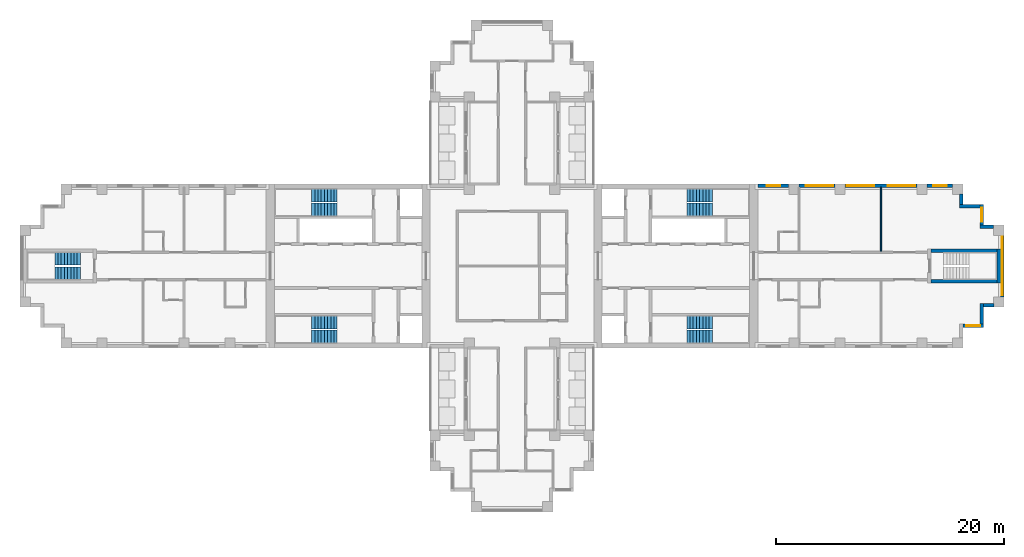
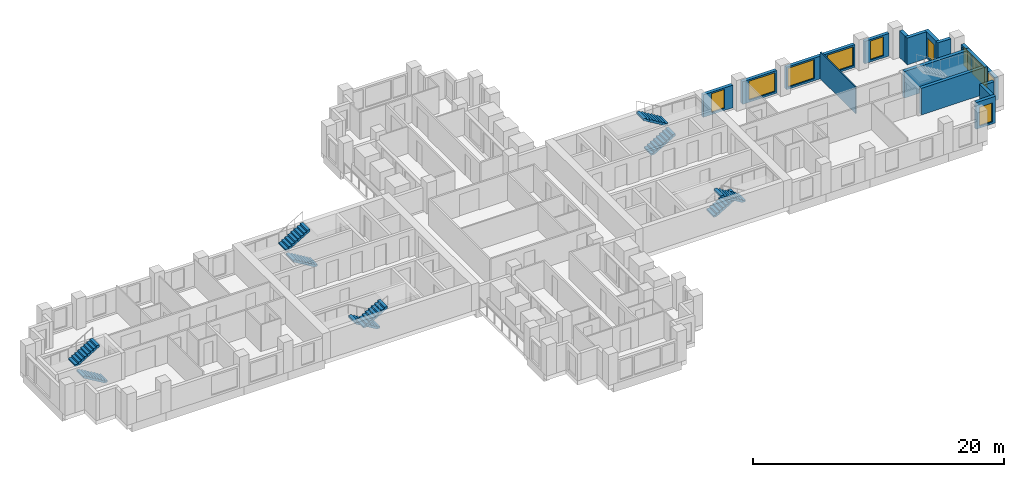
# One storey, part 9 of 12: 16 walls, 10 stair flights, 10 windows, 10 openings, 5 elements without a shape of their own.
"""IFC4 building model written with IfcOpenShell, lengths in metres."""

from ifc_helpers import new_model, si_unit, direction, frame, frame_2d, origin, place, context, subcontext, project, spatial, polyline, rectangle, outline, extrude, material, layer, layer_set, type_object, element, fill, aggregate, save


model = new_model("IFC4")

# Units and contexts
model_context = context("Model", 3, precision=1e-05, world=origin(), true_north=direction((0.0, 1.0)))
body_context = subcontext(model_context, "Body", "Model", "MODEL_VIEW")
ifc_project = project(units=[si_unit("LENGTHUNIT", "METRE"), si_unit("AREAUNIT", "SQUARE_METRE"), si_unit("VOLUMEUNIT", "CUBIC_METRE"), si_unit("PLANEANGLEUNIT", "RADIAN"), si_unit("MASSUNIT", "GRAM", prefix="KILO")], contexts=[model_context])

# Site, building, storey
site_placement = place(None, origin())
site = spatial("IfcSite", under=ifc_project, at=site_placement, CompositionType="ELEMENT")
building_placement = place(site_placement, origin())
building = spatial("IfcBuilding", under=site, at=building_placement, Name="Fustian Cross Tower", CompositionType="ELEMENT")
storey_placement = place(building_placement, frame((0.0, 0.0, 135.300048828125)))
storey = spatial("IfcBuildingStorey", under=building, at=storey_placement, Name="L42", CompositionType="ELEMENT", Elevation=135.300048828125)

# Walls
ifc_material_1 = material(Name="Plasterboard on steel stud", Category="steel")
ifc_layer_1 = layer(ifc_material_1, 0.10009765625)
ifc_layer_set_1 = layer_set([ifc_layer_1], Name="Plasterboard on steel stud")
wall_type_1 = type_object("IfcWallType", Name="PARTITION 100 STUD", PredefinedType="PARTITIONING", material=ifc_layer_set_1)
wall_1_placement = place(storey_placement, frame((32.39990234375, 1.27490234375, 0.0), z_axis=(0.0, 0.0, 1.0), x_axis=(0.0, 1.0, 0.0)))
element("IfcWall", 1, at=wall_1_placement, inside=storey, type_object=wall_type_1, Name="Partition 61", PredefinedType="PARTITIONING", context=body_context, shape_type="SweptSolid", body=[
    extrude(rectangle(XDim=5.625, YDim=0.10009765625, at=frame_2d((2.8125, 0.0))), origin(), (0.0, 0.0, 1.0), 2.599853515625),
])
ifc_material_2 = material(Name="Concrete C50/60", Category="concrete")
ifc_layer_2 = layer(ifc_material_2, 0.300048828125)
ifc_layer_set_2 = layer_set([ifc_layer_2], Name="Concrete C50/60")
wall_type_2 = type_object("IfcWallType", Name="STAIR ENCLOSURE WALL 300 C50/60", PredefinedType="SHEAR", material=ifc_layer_set_2)
wall_2_placement = place(storey_placement, frame((42.75, -1.5, 0.0), z_axis=(0.0, 0.0, 1.0), x_axis=(0.0, 1.0, 0.0)))
element("IfcWall", 2, at=wall_2_placement, inside=storey, type_object=wall_type_2, Name="Stair enclosure wall", PredefinedType="SHEAR", context=body_context, shape_type="SweptSolid", body=[
    extrude(rectangle(XDim=3.0, YDim=0.300048828125, at=frame_2d((1.5, 0.0))), origin(), (0.0, 0.0, 1.0), 2.599853515625),
])
for number, where, z_axis, x_axis, name in (
    (3, (36.800048828125, -1.35009765625, 0.0), (0.0, 0.0, 1.0), (1.0, 0.0, 0.0), "Stair enclosure wall"),
    (4, (36.800048828125, 1.35009765625, 0.0), (0.0, 0.0, 1.0), (1.0, 0.0, 0.0), "Stair enclosure wall"),
):
    element("IfcWall", number, at=place(storey_placement, frame(where, z_axis=z_axis, x_axis=x_axis)), inside=storey, type_object=wall_type_2, Name=name, PredefinedType="SHEAR", context=body_context, shape_type="SweptSolid", body=[
        extrude(rectangle(XDim=5.800048828125, YDim=0.300048828125, at=frame_2d((2.89990234375, 0.0))), origin(), (0.0, 0.0, 1.0), 2.599853515625),
    ])

# Wall, opening, window
ifc_material_3 = material(Name="Dark aluminium cladding on insulated backing wall", Category="aluminium")
ifc_layer_3 = layer(ifc_material_3, 0.300048828125)
ifc_layer_set_3 = layer_set([ifc_layer_3], Name="Dark aluminium cladding on insulated backing wall")
wall_type_3 = type_object("IfcWallType", Name="XW1 EXTERNAL WALL 300", PredefinedType="SOLIDWALL", material=ifc_layer_set_3)
wall_3_placement = place(storey_placement, frame((39.60009765625, -5.25, 0.0), z_axis=(0.0, 0.0, 1.0), x_axis=(1.0, 0.0, 0.0)))
wall_3 = element("IfcWall", 5, at=wall_3_placement, inside=storey, type_object=wall_type_3, Name="External wall", PredefinedType="SOLIDWALL", context=body_context, shape_type="SweptSolid", body=[
    extrude(rectangle(XDim=1.7998046875, YDim=0.300048828125, at=frame_2d((0.89990234375, 0.0))), origin(), (0.0, 0.0, 1.0), 2.599853515625),
])
opening_1_placement = place(wall_3_placement, frame((0.300048828125, 0.0, 0.199951171875)))
opening_1 = element("IfcOpeningElement", 6, at=opening_1_placement, cuts=wall_3, Name="Opening WN3", PredefinedType="OPENING", context=body_context, shape_type="SweptSolid", body=[
    extrude(rectangle(XDim=1.199951171875, YDim=1.85009765625, at=frame_2d((0.60009765625, 0.925048828125))), frame((0.0, 0.159912109375, 0.0), z_axis=(0.0, -1.0, 0.0), x_axis=(1.0, 0.0, 0.0)), (0.0, 0.0, 1.0), 0.320068359375),
])
ifc_material_4 = material(Name="Dark anodised aluminium and double glazing", Category="aluminium")
window_type_1 = type_object("IfcWindowType", Name="WN3 WINDOW 1200X1850", PartitioningType="SINGLE_PANEL", PredefinedType="WINDOW", material=ifc_material_4)
window_1_placement = place(opening_1_placement, origin())
window_1 = element("IfcWindow", 7, at=window_1_placement, inside=storey, type_object=window_type_1, Name="Window", OverallHeight=1.85009765625, OverallWidth=1.199951171875, PartitioningType="SINGLE_PANEL", PredefinedType="WINDOW", context=body_context, shape_type="SweptSolid", body=[
    extrude(rectangle(XDim=1.199951171875, YDim=1.85009765625, at=frame_2d((0.60009765625, 0.925048828125))), frame((0.0, 0.030029296875, 0.0), z_axis=(0.0, -1.0, 0.0), x_axis=(1.0, 0.0, 0.0)), (0.0, 0.0, 1.0), 0.06005859375),
])
fill(opening_1, window_1)

# Walls
wall_4_placement = place(storey_placement, frame((41.25, -5.10009765625, 0.0), z_axis=(0.0, 0.0, 1.0), x_axis=(0.0, 1.0, 0.0)))
element("IfcWall", 8, at=wall_4_placement, inside=storey, type_object=wall_type_3, Name="External wall", PredefinedType="SOLIDWALL", context=body_context, shape_type="SweptSolid", body=[
    extrude(rectangle(XDim=1.800048828125, YDim=0.300048828125, at=frame_2d((0.89990234375, 0.0))), origin(), (0.0, 0.0, 1.0), 2.599853515625),
])
wall_5_placement = place(storey_placement, frame((41.39990234375, -3.449951171875, 0.0), z_axis=(0.0, 0.0, 1.0), x_axis=(1.0, 0.0, 0.0)))
element("IfcWall", 9, at=wall_5_placement, inside=storey, type_object=wall_type_3, Name="External wall", PredefinedType="SOLIDWALL", context=body_context, shape_type="SweptSolid", body=[
    extrude(rectangle(XDim=0.900146484375, YDim=0.300048828125, at=frame_2d((0.4501953125, 0.0))), origin(), (0.0, 0.0, 1.0), 2.599853515625),
])

# Wall, openings, windows
wall_6_placement = place(storey_placement, frame((43.050048828125, -2.699951171875, 0.0), z_axis=(0.0, 0.0, 1.0), x_axis=(0.0, 1.0, 0.0)))
wall_6 = element("IfcWall", 10, at=wall_6_placement, inside=storey, type_object=wall_type_3, Name="External wall", PredefinedType="SOLIDWALL", context=body_context, shape_type="SweptSolid", body=[
    extrude(rectangle(XDim=5.39990234375, YDim=0.300048828125, at=frame_2d((2.699951171875, 0.0))), origin(), (0.0, 0.0, 1.0), 2.199951171875),
])
opening_2_placement = place(wall_6_placement, frame((1.5, 0.0, 0.199951171875)))
opening_2 = element("IfcOpeningElement", 11, at=opening_2_placement, cuts=wall_6, Name="Opening WN1", PredefinedType="OPENING", context=body_context, shape_type="SweptSolid", body=[
    extrude(rectangle(XDim=2.39990234375, YDim=1.85009765625, at=frame_2d((1.199951171875, 0.925048828125))), frame((0.0, 0.159912109375, 0.0), z_axis=(0.0, -1.0, 0.0), x_axis=(1.0, 0.0, 0.0)), (0.0, 0.0, 1.0), 0.320068359375),
])
opening_3_placement = place(wall_6_placement, frame((0.14990234375, 0.0, 0.199951171875)))
opening_3 = element("IfcOpeningElement", 12, at=opening_3_placement, cuts=wall_6, Name="Opening WN3", PredefinedType="OPENING", context=body_context, shape_type="SweptSolid", body=[
    extrude(rectangle(XDim=1.199951171875, YDim=1.85009765625, at=frame_2d((0.60009765625, 0.925048828125))), frame((0.0, 0.159912109375, 0.0), z_axis=(0.0, -1.0, 0.0), x_axis=(1.0, 0.0, 0.0)), (0.0, 0.0, 1.0), 0.320068359375),
])
opening_4_placement = place(wall_6_placement, frame((4.050048828125, 0.0, 0.199951171875)))
opening_4 = element("IfcOpeningElement", 13, at=opening_4_placement, cuts=wall_6, Name="Opening WN3", PredefinedType="OPENING", context=body_context, shape_type="SweptSolid", body=[
    extrude(rectangle(XDim=1.199951171875, YDim=1.85009765625, at=frame_2d((0.60009765625, 0.925048828125))), frame((0.0, 0.159912109375, 0.0), z_axis=(0.0, -1.0, 0.0), x_axis=(1.0, 0.0, 0.0)), (0.0, 0.0, 1.0), 0.320068359375),
])
ifc_material_5 = material(Name="Dark anodised aluminium and double glazing", Category="aluminium")
window_type_2 = type_object("IfcWindowType", Name="WN1 WINDOW 2400X1850", PartitioningType="SINGLE_PANEL", PredefinedType="WINDOW", material=ifc_material_5)
window_2_placement = place(opening_2_placement, origin())
window_2 = element("IfcWindow", 14, at=window_2_placement, inside=storey, type_object=window_type_2, Name="Window", OverallHeight=1.85009765625, OverallWidth=2.39990234375, PartitioningType="SINGLE_PANEL", PredefinedType="WINDOW", context=body_context, shape_type="SweptSolid", body=[
    extrude(rectangle(XDim=2.39990234375, YDim=1.85009765625, at=frame_2d((1.199951171875, 0.925048828125))), frame((0.0, 0.030029296875, 0.0), z_axis=(0.0, -1.0, 0.0), x_axis=(1.0, 0.0, 0.0)), (0.0, 0.0, 1.0), 0.06005859375),
])
fill(opening_2, window_2)
window_3_placement = place(opening_3_placement, origin())
window_3 = element("IfcWindow", 15, at=window_3_placement, inside=storey, type_object=window_type_1, Name="Window", OverallHeight=1.85009765625, OverallWidth=1.199951171875, PartitioningType="SINGLE_PANEL", PredefinedType="WINDOW", context=body_context, shape_type="SweptSolid", body=[
    extrude(rectangle(XDim=1.199951171875, YDim=1.85009765625, at=frame_2d((0.60009765625, 0.925048828125))), frame((0.0, 0.030029296875, 0.0), z_axis=(0.0, -1.0, 0.0), x_axis=(1.0, 0.0, 0.0)), (0.0, 0.0, 1.0), 0.06005859375),
])
fill(opening_3, window_3)
window_4_placement = place(opening_4_placement, origin())
window_4 = element("IfcWindow", 16, at=window_4_placement, inside=storey, type_object=window_type_1, Name="Window", OverallHeight=1.85009765625, OverallWidth=1.199951171875, PartitioningType="SINGLE_PANEL", PredefinedType="WINDOW", context=body_context, shape_type="SweptSolid", body=[
    extrude(rectangle(XDim=1.199951171875, YDim=1.85009765625, at=frame_2d((0.60009765625, 0.925048828125))), frame((0.0, 0.030029296875, 0.0), z_axis=(0.0, -1.0, 0.0), x_axis=(1.0, 0.0, 0.0)), (0.0, 0.0, 1.0), 0.06005859375),
])
fill(opening_4, window_4)

# Wall
wall_7_placement = place(storey_placement, frame((42.300048828125, 3.449951171875, 0.0), z_axis=(0.0, 0.0, 1.0), x_axis=(-1.0, 0.0, 0.0)))
element("IfcWall", 17, at=wall_7_placement, inside=storey, type_object=wall_type_3, Name="External wall", PredefinedType="SOLIDWALL", context=body_context, shape_type="SweptSolid", body=[
    extrude(rectangle(XDim=1.199951171875, YDim=0.300048828125, at=frame_2d((0.60009765625, 0.0))), origin(), (0.0, 0.0, 1.0), 2.599853515625),
])

# Wall, opening, window
wall_8_placement = place(storey_placement, frame((41.25, 3.60009765625, 0.0), z_axis=(0.0, 0.0, 1.0), x_axis=(0.0, 1.0, 0.0)))
wall_8 = element("IfcWall", 18, at=wall_8_placement, inside=storey, type_object=wall_type_3, Name="External wall", PredefinedType="SOLIDWALL", context=body_context, shape_type="SweptSolid", body=[
    extrude(rectangle(XDim=1.7998046875, YDim=0.300048828125, at=frame_2d((0.89990234375, 0.0))), origin(), (0.0, 0.0, 1.0), 2.599853515625),
])
opening_5_placement = place(wall_8_placement, frame((0.300048828125, 0.0, 0.199951171875)))
opening_5 = element("IfcOpeningElement", 19, at=opening_5_placement, cuts=wall_8, Name="Opening WN3", PredefinedType="OPENING", context=body_context, shape_type="SweptSolid", body=[
    extrude(rectangle(XDim=1.199951171875, YDim=1.85009765625, at=frame_2d((0.60009765625, 0.925048828125))), frame((0.0, 0.159912109375, 0.0), z_axis=(0.0, -1.0, 0.0), x_axis=(1.0, 0.0, 0.0)), (0.0, 0.0, 1.0), 0.320068359375),
])
window_5_placement = place(opening_5_placement, origin())
window_5 = element("IfcWindow", 20, at=window_5_placement, inside=storey, type_object=window_type_1, Name="Window", OverallHeight=1.85009765625, OverallWidth=1.199951171875, PartitioningType="SINGLE_PANEL", PredefinedType="WINDOW", context=body_context, shape_type="SweptSolid", body=[
    extrude(rectangle(XDim=1.199951171875, YDim=1.85009765625, at=frame_2d((0.60009765625, 0.925048828125))), frame((0.0, 0.030029296875, 0.0), z_axis=(0.0, -1.0, 0.0), x_axis=(1.0, 0.0, 0.0)), (0.0, 0.0, 1.0), 0.06005859375),
])
fill(opening_5, window_5)

# Walls
wall_9_placement = place(storey_placement, frame((41.10009765625, 5.25, 0.0), z_axis=(0.0, 0.0, 1.0), x_axis=(-1.0, 0.0, 0.0)))
element("IfcWall", 21, at=wall_9_placement, inside=storey, type_object=wall_type_3, Name="External wall", PredefinedType="SOLIDWALL", context=body_context, shape_type="SweptSolid", body=[
    extrude(rectangle(XDim=1.800048828125, YDim=0.300048828125, at=frame_2d((0.89990234375, 0.0))), origin(), (0.0, 0.0, 1.0), 2.599853515625),
])
wall_10_placement = place(storey_placement, frame((39.449951171875, 5.39990234375, 0.0), z_axis=(0.0, 0.0, 1.0), x_axis=(0.0, 1.0, 0.0)))
element("IfcWall", 22, at=wall_10_placement, inside=storey, type_object=wall_type_3, Name="External wall", PredefinedType="SOLIDWALL", context=body_context, shape_type="SweptSolid", body=[
    extrude(rectangle(XDim=0.900146484375, YDim=0.300048828125, at=frame_2d((0.4501953125, 0.0))), origin(), (0.0, 0.0, 1.0), 2.599853515625),
])

# Wall, opening, window
wall_11_placement = place(storey_placement, frame((38.699951171875, 7.050048828125, 0.0), z_axis=(0.0, 0.0, 1.0), x_axis=(-1.0, 0.0, 0.0)))
wall_11 = element("IfcWall", 23, at=wall_11_placement, inside=storey, type_object=wall_type_3, Name="External wall", PredefinedType="SOLIDWALL", context=body_context, shape_type="SweptSolid", body=[
    extrude(rectangle(XDim=2.25, YDim=0.300048828125, at=frame_2d((1.125, 0.0))), origin(), (0.0, 0.0, 1.0), 2.199951171875),
])
opening_6_placement = place(wall_11_placement, frame((0.52490234375, 0.0, 0.199951171875)))
opening_6 = element("IfcOpeningElement", 24, at=opening_6_placement, cuts=wall_11, Name="Opening WN3", PredefinedType="OPENING", context=body_context, shape_type="SweptSolid", body=[
    extrude(rectangle(XDim=1.199951171875, YDim=1.85009765625, at=frame_2d((0.60009765625, 0.925048828125))), frame((0.0, 0.159912109375, 0.0), z_axis=(0.0, -1.0, 0.0), x_axis=(1.0, 0.0, 0.0)), (0.0, 0.0, 1.0), 0.320068359375),
])
window_6_placement = place(opening_6_placement, origin())
window_6 = element("IfcWindow", 25, at=window_6_placement, inside=storey, type_object=window_type_1, Name="Window", OverallHeight=1.85009765625, OverallWidth=1.199951171875, PartitioningType="SINGLE_PANEL", PredefinedType="WINDOW", context=body_context, shape_type="SweptSolid", body=[
    extrude(rectangle(XDim=1.199951171875, YDim=1.85009765625, at=frame_2d((0.60009765625, 0.925048828125))), frame((0.0, 0.030029296875, 0.0), z_axis=(0.0, -1.0, 0.0), x_axis=(1.0, 0.0, 0.0)), (0.0, 0.0, 1.0), 0.06005859375),
])
fill(opening_6, window_6)

# Wall, openings, windows
wall_12_placement = place(storey_placement, frame((35.550048828125, 7.050048828125, 0.0), z_axis=(0.0, 0.0, 1.0), x_axis=(-1.0, 0.0, 0.0)))
wall_12 = element("IfcWall", 26, at=wall_12_placement, inside=storey, type_object=wall_type_3, Name="External wall", PredefinedType="SOLIDWALL", context=body_context, shape_type="SweptSolid", body=[
    extrude(rectangle(XDim=6.300048828125, YDim=0.300048828125, at=frame_2d((3.14990234375, 0.0))), origin(), (0.0, 0.0, 1.0), 2.199951171875),
])
opening_7_placement = place(wall_12_placement, frame((0.14990234375, 0.0, 0.199951171875)))
opening_7 = element("IfcOpeningElement", 27, at=opening_7_placement, cuts=wall_12, Name="Opening WN1", PredefinedType="OPENING", context=body_context, shape_type="SweptSolid", body=[
    extrude(rectangle(XDim=2.39990234375, YDim=1.85009765625, at=frame_2d((1.199951171875, 0.925048828125))), frame((0.0, 0.159912109375, 0.0), z_axis=(0.0, -1.0, 0.0), x_axis=(1.0, 0.0, 0.0)), (0.0, 0.0, 1.0), 0.320068359375),
])
opening_8_placement = place(wall_12_placement, frame((3.75, 0.0, 0.199951171875)))
opening_8 = element("IfcOpeningElement", 28, at=opening_8_placement, cuts=wall_12, Name="Opening WN1", PredefinedType="OPENING", context=body_context, shape_type="SweptSolid", body=[
    extrude(rectangle(XDim=2.39990234375, YDim=1.85009765625, at=frame_2d((1.199951171875, 0.925048828125))), frame((0.0, 0.159912109375, 0.0), z_axis=(0.0, -1.0, 0.0), x_axis=(1.0, 0.0, 0.0)), (0.0, 0.0, 1.0), 0.320068359375),
])
window_7_placement = place(opening_7_placement, origin())
window_7 = element("IfcWindow", 29, at=window_7_placement, inside=storey, type_object=window_type_2, Name="Window", OverallHeight=1.85009765625, OverallWidth=2.39990234375, PartitioningType="SINGLE_PANEL", PredefinedType="WINDOW", context=body_context, shape_type="SweptSolid", body=[
    extrude(rectangle(XDim=2.39990234375, YDim=1.85009765625, at=frame_2d((1.199951171875, 0.925048828125))), frame((0.0, 0.030029296875, 0.0), z_axis=(0.0, -1.0, 0.0), x_axis=(1.0, 0.0, 0.0)), (0.0, 0.0, 1.0), 0.06005859375),
])
fill(opening_7, window_7)
window_8_placement = place(opening_8_placement, origin())
window_8 = element("IfcWindow", 30, at=window_8_placement, inside=storey, type_object=window_type_2, Name="Window", OverallHeight=1.85009765625, OverallWidth=2.39990234375, PartitioningType="SINGLE_PANEL", PredefinedType="WINDOW", context=body_context, shape_type="SweptSolid", body=[
    extrude(rectangle(XDim=2.39990234375, YDim=1.85009765625, at=frame_2d((1.199951171875, 0.925048828125))), frame((0.0, 0.030029296875, 0.0), z_axis=(0.0, -1.0, 0.0), x_axis=(1.0, 0.0, 0.0)), (0.0, 0.0, 1.0), 0.06005859375),
])
fill(opening_8, window_8)

# Wall, opening, window
wall_13_placement = place(storey_placement, frame((28.35009765625, 7.050048828125, 0.0), z_axis=(0.0, 0.0, 1.0), x_axis=(-1.0, 0.0, 0.0)))
wall_13 = element("IfcWall", 31, at=wall_13_placement, inside=storey, type_object=wall_type_3, Name="External wall", PredefinedType="SOLIDWALL", context=body_context, shape_type="SweptSolid", body=[
    extrude(rectangle(XDim=3.150146484375, YDim=0.300048828125, at=frame_2d((1.5751953125, 0.0))), origin(), (0.0, 0.0, 1.0), 2.199951171875),
])
opening_9_placement = place(wall_13_placement, frame((0.14990234375, 0.0, 0.199951171875)))
opening_9 = element("IfcOpeningElement", 32, at=opening_9_placement, cuts=wall_13, Name="Opening WN1", PredefinedType="OPENING", context=body_context, shape_type="SweptSolid", body=[
    extrude(rectangle(XDim=2.39990234375, YDim=1.85009765625, at=frame_2d((1.199951171875, 0.925048828125))), frame((0.0, 0.159912109375, 0.0), z_axis=(0.0, -1.0, 0.0), x_axis=(1.0, 0.0, 0.0)), (0.0, 0.0, 1.0), 0.320068359375),
])
window_9_placement = place(opening_9_placement, origin())
window_9 = element("IfcWindow", 33, at=window_9_placement, inside=storey, type_object=window_type_2, Name="Window", OverallHeight=1.85009765625, OverallWidth=2.39990234375, PartitioningType="SINGLE_PANEL", PredefinedType="WINDOW", context=body_context, shape_type="SweptSolid", body=[
    extrude(rectangle(XDim=2.39990234375, YDim=1.85009765625, at=frame_2d((1.199951171875, 0.925048828125))), frame((0.0, 0.030029296875, 0.0), z_axis=(0.0, -1.0, 0.0), x_axis=(1.0, 0.0, 0.0)), (0.0, 0.0, 1.0), 0.06005859375),
])
fill(opening_9, window_9)

wall_14_placement = place(storey_placement, frame((24.300048828125, 7.050048828125, 0.0), z_axis=(0.0, 0.0, 1.0), x_axis=(-1.0, 0.0, 0.0)))
wall_14 = element("IfcWall", 34, at=wall_14_placement, inside=storey, type_object=wall_type_3, Name="External wall", PredefinedType="SOLIDWALL", context=body_context, shape_type="SweptSolid", body=[
    extrude(rectangle(XDim=2.699951171875, YDim=0.300048828125, at=frame_2d((1.35009765625, 0.0))), origin(), (0.0, 0.0, 1.0), 2.199951171875),
])
opening_10_placement = place(wall_14_placement, frame((0.75, 0.0, 0.199951171875)))
opening_10 = element("IfcOpeningElement", 35, at=opening_10_placement, cuts=wall_14, Name="Opening WN3", PredefinedType="OPENING", context=body_context, shape_type="SweptSolid", body=[
    extrude(rectangle(XDim=1.199951171875, YDim=1.85009765625, at=frame_2d((0.60009765625, 0.925048828125))), frame((0.0, 0.159912109375, 0.0), z_axis=(0.0, -1.0, 0.0), x_axis=(1.0, 0.0, 0.0)), (0.0, 0.0, 1.0), 0.320068359375),
])
window_10_placement = place(opening_10_placement, origin())
window_10 = element("IfcWindow", 36, at=window_10_placement, inside=storey, type_object=window_type_1, Name="Window", OverallHeight=1.85009765625, OverallWidth=1.199951171875, PartitioningType="SINGLE_PANEL", PredefinedType="WINDOW", context=body_context, shape_type="SweptSolid", body=[
    extrude(rectangle(XDim=1.199951171875, YDim=1.85009765625, at=frame_2d((0.60009765625, 0.925048828125))), frame((0.0, 0.030029296875, 0.0), z_axis=(0.0, -1.0, 0.0), x_axis=(1.0, 0.0, 0.0)), (0.0, 0.0, 1.0), 0.06005859375),
])
fill(opening_10, window_10)

# Stair, stair flights
ifc_material_6 = material(Name="Concrete C50/60", Category="concrete")
stair_type_1 = type_object("IfcStairType", Name="STAIR 1100 HALF TURN", PredefinedType="HALF_TURN_STAIR", material=ifc_material_6)
stair_1_placement = place(storey_placement, origin())
stair_1 = element("IfcStair", 37, at=stair_1_placement, inside=storey, type_object=stair_type_1, Name="Stair ST9", PredefinedType="HALF_TURN_STAIR")
ifc_material_7 = material(Name="Concrete C50/60", Category="concrete")
stair_flight_type_1 = type_object("IfcStairFlightType", Name="STAIR FLIGHT 1100", PredefinedType="STRAIGHT", material=ifc_material_7)
stair_flight_1_placement = place(storey_placement, frame((-37.89990234375, -0.64990234375, 0.0), z_axis=(0.0, 0.0, 1.0), x_axis=(-1.0, 0.0, 0.0)))
stair_flight_1 = element("IfcStairFlight", 38, at=stair_flight_1_placement, type_object=stair_flight_type_1, Name="ST9 flight 1", NumberOfRisers=9, NumberOfTreads=8, PredefinedType="STRAIGHT", RiserHeight=0.166666667, TreadLength=0.28, context=body_context, shape_type="SweptSolid", body=[
    extrude(outline(polyline([(0.0, 0.0), (0.0, 0.166748046875), (0.280029296875, 0.166748046875), (0.280029296875, 0.333251953125), (0.56005859375, 0.333251953125), (0.56005859375, 0.5), (0.840087890625, 0.5), (0.840087890625, 0.666748046875), (1.1201171875, 0.666748046875), (1.1201171875, 0.833251953125), (1.39990234375, 0.833251953125), (1.39990234375, 1.0), (1.679931640625, 1.0), (1.679931640625, 1.166748046875), (1.9599609375, 1.166748046875), (1.9599609375, 1.333251953125), (2.239990234375, 1.333251953125), (2.239990234375, 1.5), (2.239990234375, 1.158935546875), (0.29296875, 0.0), (0.0, 0.0)])), frame((0.0, 0.550048828125, 0.0), z_axis=(0.0, -1.0, 0.0), x_axis=(1.0, 0.0, 0.0)), (0.0, 0.0, 1.0), 1.10009765625),
])
stair_flight_2_placement = place(storey_placement, frame((-40.139892578125, 0.64990234375, 1.5), z_axis=(0.0, 0.0, 1.0), x_axis=(1.0, 0.0, 0.0)))
stair_flight_2 = element("IfcStairFlight", 39, at=stair_flight_2_placement, type_object=stair_flight_type_1, Name="ST9 flight 2", NumberOfRisers=9, NumberOfTreads=8, PredefinedType="STRAIGHT", RiserHeight=0.166666667, TreadLength=0.28, context=body_context, shape_type="SweptSolid", body=[
    extrude(outline(polyline([(0.0, 0.0), (0.0, 0.166748046875), (0.280029296875, 0.166748046875), (0.280029296875, 0.333251953125), (0.56005859375, 0.333251953125), (0.56005859375, 0.5), (0.840087890625, 0.5), (0.840087890625, 0.666748046875), (1.1201171875, 0.666748046875), (1.1201171875, 0.833251953125), (1.39990234375, 0.833251953125), (1.39990234375, 1.0), (1.679931640625, 1.0), (1.679931640625, 1.166748046875), (1.9599609375, 1.166748046875), (1.9599609375, 1.333251953125), (2.239990234375, 1.333251953125), (2.239990234375, 1.5), (2.239990234375, 1.158935546875), (0.29296875, 0.0), (0.0, 0.0)])), frame((0.0, 0.550048828125, 0.0), z_axis=(0.0, -1.0, 0.0), x_axis=(1.0, 0.0, 0.0)), (0.0, 0.0, 1.0), 1.10009765625),
])
aggregate(stair_1, [stair_flight_1, stair_flight_2])

ifc_material_8 = material(Name="Concrete C50/60", Category="concrete")
stair_type_2 = type_object("IfcStairType", Name="STAIR 1150 HALF TURN", PredefinedType="HALF_TURN_STAIR", material=ifc_material_8)
stair_2_placement = place(storey_placement, origin())
stair_2 = element("IfcStair", 40, at=stair_2_placement, inside=storey, type_object=stair_type_2, Name="Stair ST1", PredefinedType="HALF_TURN_STAIR")
ifc_material_9 = material(Name="Concrete C50/60", Category="concrete")
stair_flight_type_2 = type_object("IfcStairFlightType", Name="STAIR FLIGHT 1150", PredefinedType="STRAIGHT", material=ifc_material_9)
stair_flight_3_placement = place(storey_placement, frame((15.35009765625, 4.97509765625, 0.0), z_axis=(0.0, 0.0, 1.0), x_axis=(1.0, 0.0, 0.0)))
stair_flight_3 = element("IfcStairFlight", 41, at=stair_flight_3_placement, type_object=stair_flight_type_2, Name="ST1 flight 1", NumberOfRisers=9, NumberOfTreads=8, PredefinedType="STRAIGHT", RiserHeight=0.166666667, TreadLength=0.28, context=body_context, shape_type="SweptSolid", body=[
    extrude(outline(polyline([(0.0, 0.0), (0.0, 0.166748046875), (0.280029296875, 0.166748046875), (0.280029296875, 0.333251953125), (0.56005859375, 0.333251953125), (0.56005859375, 0.5), (0.840087890625, 0.5), (0.840087890625, 0.666748046875), (1.1201171875, 0.666748046875), (1.1201171875, 0.833251953125), (1.39990234375, 0.833251953125), (1.39990234375, 1.0), (1.679931640625, 1.0), (1.679931640625, 1.166748046875), (1.9599609375, 1.166748046875), (1.9599609375, 1.333251953125), (2.239990234375, 1.333251953125), (2.239990234375, 1.5), (2.239990234375, 1.158935546875), (0.29296875, 0.0), (0.0, 0.0)])), frame((0.0, 0.574951171875, 0.0), z_axis=(0.0, -1.0, 0.0), x_axis=(1.0, 0.0, 0.0)), (0.0, 0.0, 1.0), 1.14990234375),
])
stair_flight_4_placement = place(storey_placement, frame((17.590087890625, 6.175048828125, 1.5), z_axis=(0.0, 0.0, 1.0), x_axis=(-1.0, 0.0, 0.0)))
stair_flight_4 = element("IfcStairFlight", 42, at=stair_flight_4_placement, type_object=stair_flight_type_2, Name="ST1 flight 2", NumberOfRisers=9, NumberOfTreads=8, PredefinedType="STRAIGHT", RiserHeight=0.166666667, TreadLength=0.28, context=body_context, shape_type="SweptSolid", body=[
    extrude(outline(polyline([(0.0, 0.0), (0.0, 0.166748046875), (0.280029296875, 0.166748046875), (0.280029296875, 0.333251953125), (0.56005859375, 0.333251953125), (0.56005859375, 0.5), (0.840087890625, 0.5), (0.840087890625, 0.666748046875), (1.1201171875, 0.666748046875), (1.1201171875, 0.833251953125), (1.39990234375, 0.833251953125), (1.39990234375, 1.0), (1.679931640625, 1.0), (1.679931640625, 1.166748046875), (1.9599609375, 1.166748046875), (1.9599609375, 1.333251953125), (2.239990234375, 1.333251953125), (2.239990234375, 1.5), (2.239990234375, 1.158935546875), (0.29296875, 0.0), (0.0, 0.0)])), frame((0.0, 0.574951171875, 0.0), z_axis=(0.0, -1.0, 0.0), x_axis=(1.0, 0.0, 0.0)), (0.0, 0.0, 1.0), 1.14990234375),
])
aggregate(stair_2, [stair_flight_3, stair_flight_4])

stair_3_placement = place(storey_placement, origin())
stair_3 = element("IfcStair", 43, at=stair_3_placement, inside=storey, type_object=stair_type_2, Name="Stair ST2", PredefinedType="HALF_TURN_STAIR")
stair_flight_5_placement = place(storey_placement, frame((15.35009765625, -4.97509765625, 0.0), z_axis=(0.0, 0.0, 1.0), x_axis=(1.0, 0.0, 0.0)))
stair_flight_5 = element("IfcStairFlight", 44, at=stair_flight_5_placement, type_object=stair_flight_type_2, Name="ST2 flight 1", NumberOfRisers=9, NumberOfTreads=8, PredefinedType="STRAIGHT", RiserHeight=0.166666667, TreadLength=0.28, context=body_context, shape_type="SweptSolid", body=[
    extrude(outline(polyline([(0.0, 0.0), (0.0, 0.166748046875), (0.280029296875, 0.166748046875), (0.280029296875, 0.333251953125), (0.56005859375, 0.333251953125), (0.56005859375, 0.5), (0.840087890625, 0.5), (0.840087890625, 0.666748046875), (1.1201171875, 0.666748046875), (1.1201171875, 0.833251953125), (1.39990234375, 0.833251953125), (1.39990234375, 1.0), (1.679931640625, 1.0), (1.679931640625, 1.166748046875), (1.9599609375, 1.166748046875), (1.9599609375, 1.333251953125), (2.239990234375, 1.333251953125), (2.239990234375, 1.5), (2.239990234375, 1.158935546875), (0.29296875, 0.0), (0.0, 0.0)])), frame((0.0, 0.574951171875, 0.0), z_axis=(0.0, -1.0, 0.0), x_axis=(1.0, 0.0, 0.0)), (0.0, 0.0, 1.0), 1.14990234375),
])
stair_flight_6_placement = place(storey_placement, frame((17.590087890625, -6.175048828125, 1.5), z_axis=(0.0, 0.0, 1.0), x_axis=(-1.0, 0.0, 0.0)))
stair_flight_6 = element("IfcStairFlight", 45, at=stair_flight_6_placement, type_object=stair_flight_type_2, Name="ST2 flight 2", NumberOfRisers=9, NumberOfTreads=8, PredefinedType="STRAIGHT", RiserHeight=0.166666667, TreadLength=0.28, context=body_context, shape_type="SweptSolid", body=[
    extrude(outline(polyline([(0.0, 0.0), (0.0, 0.166748046875), (0.280029296875, 0.166748046875), (0.280029296875, 0.333251953125), (0.56005859375, 0.333251953125), (0.56005859375, 0.5), (0.840087890625, 0.5), (0.840087890625, 0.666748046875), (1.1201171875, 0.666748046875), (1.1201171875, 0.833251953125), (1.39990234375, 0.833251953125), (1.39990234375, 1.0), (1.679931640625, 1.0), (1.679931640625, 1.166748046875), (1.9599609375, 1.166748046875), (1.9599609375, 1.333251953125), (2.239990234375, 1.333251953125), (2.239990234375, 1.5), (2.239990234375, 1.158935546875), (0.29296875, 0.0), (0.0, 0.0)])), frame((0.0, 0.574951171875, 0.0), z_axis=(0.0, -1.0, 0.0), x_axis=(1.0, 0.0, 0.0)), (0.0, 0.0, 1.0), 1.14990234375),
])
aggregate(stair_3, [stair_flight_5, stair_flight_6])

stair_4_placement = place(storey_placement, origin())
stair_4 = element("IfcStair", 46, at=stair_4_placement, inside=storey, type_object=stair_type_2, Name="Stair ST3", PredefinedType="HALF_TURN_STAIR")
stair_flight_7_placement = place(storey_placement, frame((-15.35009765625, 4.97509765625, 0.0), z_axis=(0.0, 0.0, 1.0), x_axis=(-1.0, 0.0, 0.0)))
stair_flight_7 = element("IfcStairFlight", 47, at=stair_flight_7_placement, type_object=stair_flight_type_2, Name="ST3 flight 1", NumberOfRisers=9, NumberOfTreads=8, PredefinedType="STRAIGHT", RiserHeight=0.166666667, TreadLength=0.28, context=body_context, shape_type="SweptSolid", body=[
    extrude(outline(polyline([(0.0, 0.0), (0.0, 0.166748046875), (0.280029296875, 0.166748046875), (0.280029296875, 0.333251953125), (0.56005859375, 0.333251953125), (0.56005859375, 0.5), (0.840087890625, 0.5), (0.840087890625, 0.666748046875), (1.1201171875, 0.666748046875), (1.1201171875, 0.833251953125), (1.39990234375, 0.833251953125), (1.39990234375, 1.0), (1.679931640625, 1.0), (1.679931640625, 1.166748046875), (1.9599609375, 1.166748046875), (1.9599609375, 1.333251953125), (2.239990234375, 1.333251953125), (2.239990234375, 1.5), (2.239990234375, 1.158935546875), (0.29296875, 0.0), (0.0, 0.0)])), frame((0.0, 0.574951171875, 0.0), z_axis=(0.0, -1.0, 0.0), x_axis=(1.0, 0.0, 0.0)), (0.0, 0.0, 1.0), 1.14990234375),
])
stair_flight_8_placement = place(storey_placement, frame((-17.590087890625, 6.175048828125, 1.5), z_axis=(0.0, 0.0, 1.0), x_axis=(1.0, 0.0, 0.0)))
stair_flight_8 = element("IfcStairFlight", 48, at=stair_flight_8_placement, type_object=stair_flight_type_2, Name="ST3 flight 2", NumberOfRisers=9, NumberOfTreads=8, PredefinedType="STRAIGHT", RiserHeight=0.166666667, TreadLength=0.28, context=body_context, shape_type="SweptSolid", body=[
    extrude(outline(polyline([(0.0, 0.0), (0.0, 0.166748046875), (0.280029296875, 0.166748046875), (0.280029296875, 0.333251953125), (0.56005859375, 0.333251953125), (0.56005859375, 0.5), (0.840087890625, 0.5), (0.840087890625, 0.666748046875), (1.1201171875, 0.666748046875), (1.1201171875, 0.833251953125), (1.39990234375, 0.833251953125), (1.39990234375, 1.0), (1.679931640625, 1.0), (1.679931640625, 1.166748046875), (1.9599609375, 1.166748046875), (1.9599609375, 1.333251953125), (2.239990234375, 1.333251953125), (2.239990234375, 1.5), (2.239990234375, 1.158935546875), (0.29296875, 0.0), (0.0, 0.0)])), frame((0.0, 0.574951171875, 0.0), z_axis=(0.0, -1.0, 0.0), x_axis=(1.0, 0.0, 0.0)), (0.0, 0.0, 1.0), 1.14990234375),
])
aggregate(stair_4, [stair_flight_7, stair_flight_8])

stair_5_placement = place(storey_placement, origin())
stair_5 = element("IfcStair", 49, at=stair_5_placement, inside=storey, type_object=stair_type_2, Name="Stair ST4", PredefinedType="HALF_TURN_STAIR")
stair_flight_9_placement = place(storey_placement, frame((-15.35009765625, -4.97509765625, 0.0), z_axis=(0.0, 0.0, 1.0), x_axis=(-1.0, 0.0, 0.0)))
stair_flight_9 = element("IfcStairFlight", 50, at=stair_flight_9_placement, type_object=stair_flight_type_2, Name="ST4 flight 1", NumberOfRisers=9, NumberOfTreads=8, PredefinedType="STRAIGHT", RiserHeight=0.166666667, TreadLength=0.28, context=body_context, shape_type="SweptSolid", body=[
    extrude(outline(polyline([(0.0, 0.0), (0.0, 0.166748046875), (0.280029296875, 0.166748046875), (0.280029296875, 0.333251953125), (0.56005859375, 0.333251953125), (0.56005859375, 0.5), (0.840087890625, 0.5), (0.840087890625, 0.666748046875), (1.1201171875, 0.666748046875), (1.1201171875, 0.833251953125), (1.39990234375, 0.833251953125), (1.39990234375, 1.0), (1.679931640625, 1.0), (1.679931640625, 1.166748046875), (1.9599609375, 1.166748046875), (1.9599609375, 1.333251953125), (2.239990234375, 1.333251953125), (2.239990234375, 1.5), (2.239990234375, 1.158935546875), (0.29296875, 0.0), (0.0, 0.0)])), frame((0.0, 0.574951171875, 0.0), z_axis=(0.0, -1.0, 0.0), x_axis=(1.0, 0.0, 0.0)), (0.0, 0.0, 1.0), 1.14990234375),
])
stair_flight_10_placement = place(storey_placement, frame((-17.590087890625, -6.175048828125, 1.5), z_axis=(0.0, 0.0, 1.0), x_axis=(1.0, 0.0, 0.0)))
stair_flight_10 = element("IfcStairFlight", 51, at=stair_flight_10_placement, type_object=stair_flight_type_2, Name="ST4 flight 2", NumberOfRisers=9, NumberOfTreads=8, PredefinedType="STRAIGHT", RiserHeight=0.166666667, TreadLength=0.28, context=body_context, shape_type="SweptSolid", body=[
    extrude(outline(polyline([(0.0, 0.0), (0.0, 0.166748046875), (0.280029296875, 0.166748046875), (0.280029296875, 0.333251953125), (0.56005859375, 0.333251953125), (0.56005859375, 0.5), (0.840087890625, 0.5), (0.840087890625, 0.666748046875), (1.1201171875, 0.666748046875), (1.1201171875, 0.833251953125), (1.39990234375, 0.833251953125), (1.39990234375, 1.0), (1.679931640625, 1.0), (1.679931640625, 1.166748046875), (1.9599609375, 1.166748046875), (1.9599609375, 1.333251953125), (2.239990234375, 1.333251953125), (2.239990234375, 1.5), (2.239990234375, 1.158935546875), (0.29296875, 0.0), (0.0, 0.0)])), frame((0.0, 0.574951171875, 0.0), z_axis=(0.0, -1.0, 0.0), x_axis=(1.0, 0.0, 0.0)), (0.0, 0.0, 1.0), 1.14990234375),
])
aggregate(stair_5, [stair_flight_9, stair_flight_10])

save(model, "model.ifc")
